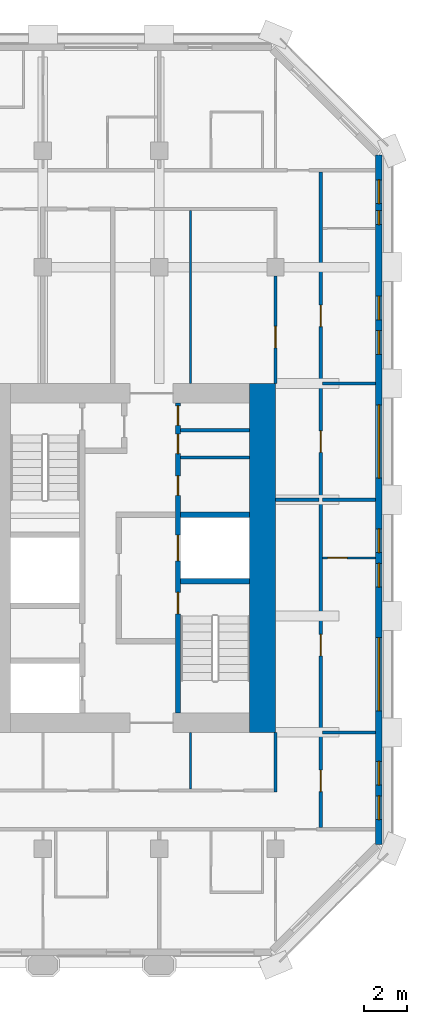
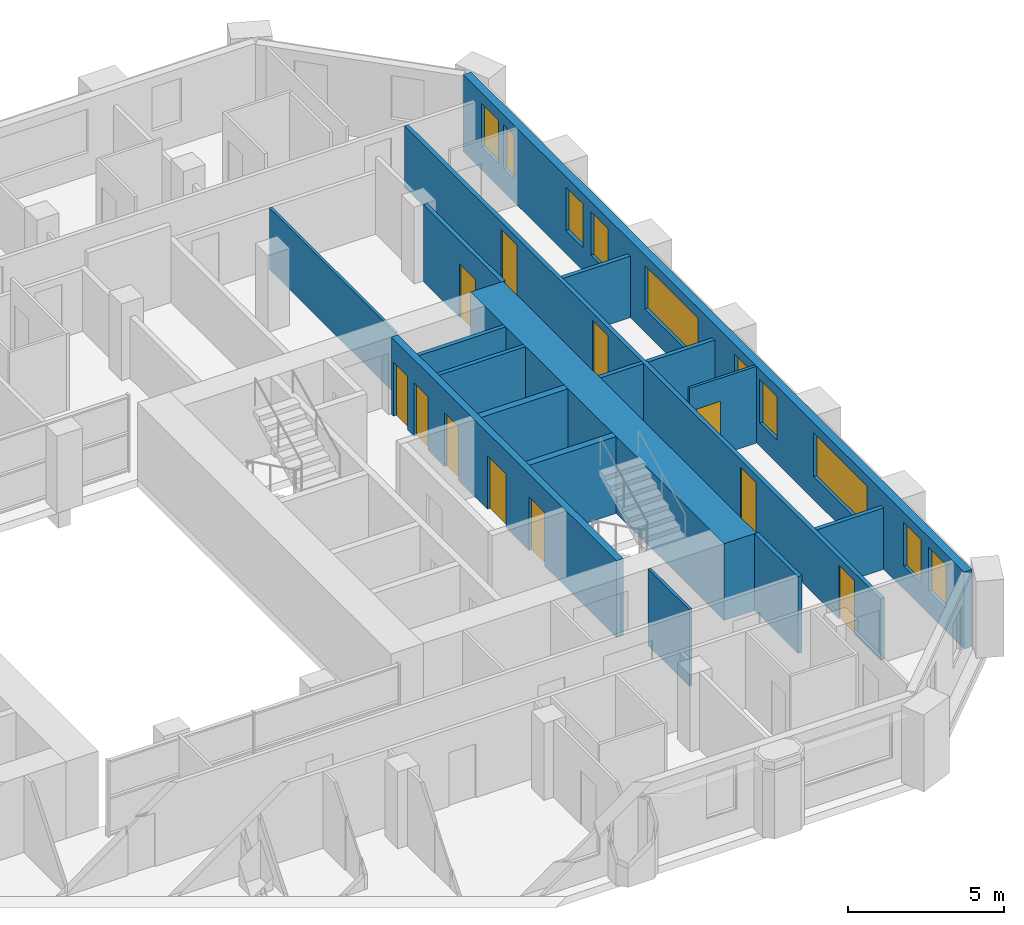
# One storey, part 7 of 13: 17 walls, 11 doors, 10 windows, 21 openings.
"""IFC4 building model written with IfcOpenShell, lengths in metres."""

from ifc_helpers import new_model, si_unit, direction, frame, frame_2d, origin, place, context, subcontext, project, spatial, rectangle, extrude, material, layer, layer_set, type_object, element, fill, save


model = new_model("IFC4")

# Units and contexts
model_context = context("Model", 3, precision=1e-05, world=origin(), true_north=direction((0.0, 1.0)))
body_context = subcontext(model_context, "Body", "Model", "MODEL_VIEW")
ifc_project = project(units=[si_unit("LENGTHUNIT", "METRE"), si_unit("AREAUNIT", "SQUARE_METRE"), si_unit("VOLUMEUNIT", "CUBIC_METRE"), si_unit("PLANEANGLEUNIT", "RADIAN"), si_unit("MASSUNIT", "GRAM", prefix="KILO")], contexts=[model_context])

# Site, building, storey
site_placement = place(None, origin())
site = spatial("IfcSite", under=ifc_project, at=site_placement, CompositionType="ELEMENT")
building_placement = place(site_placement, origin())
building = spatial("IfcBuilding", under=site, at=building_placement, Name="Tabaq Tower and Sports Hall", CompositionType="ELEMENT")
storey_placement = place(building_placement, frame((0.0, 0.0, 203.800048828125)))
storey = spatial("IfcBuildingStorey", under=building, at=storey_placement, Name="L50", CompositionType="ELEMENT", Elevation=203.800048828125)

# Walls
ifc_material_1 = material(Name="Blockwork", Category="masonry")
ifc_layer_1 = layer(ifc_material_1, 0.14990234375)
ifc_layer_set_1 = layer_set([ifc_layer_1], Name="Core room partition 150 Blockwork")
wall_type_1 = type_object("IfcWallType", Name="Core room partition 150 Blockwork", PredefinedType="PARTITIONING", material=ifc_layer_set_1)
for number, where, z_axis, x_axis, name in (
    (1, (38.800048828125, 28.962890625, 0.0), (0.0, 0.0, 1.0), (1.0, 0.0, 0.0), "Core room partition E L50"),
    (2, (38.800048828125, 30.23193359375, 0.0), (0.0, 0.0, 1.0), (1.0, 0.0, 0.0), "Core room partition E L50"),
):
    element("IfcWall", number, at=place(storey_placement, frame(where, z_axis=z_axis, x_axis=x_axis)), inside=storey, type_object=wall_type_1, Name=name, PredefinedType="PARTITIONING", context=body_context, shape_type="SweptSolid", body=[
        extrude(rectangle(XDim=3.199951171875, YDim=0.14990234375, at=frame_2d((1.60009765625, 0.0))), origin(), (0.0, 0.0, 1.0), 3.0),
    ])
ifc_material_2 = material(Name="Concrete C50/60", Category="concrete")
ifc_layer_2 = layer(ifc_material_2, 1.199951171875)
ifc_layer_set_2 = layer_set([ifc_layer_2], Name="Core wall 1200 Concrete C50/60")
wall_type_2 = type_object("IfcWallType", Name="Core wall 1200 Concrete C50/60", PredefinedType="SOLIDWALL", material=ifc_layer_set_2)
wall_1_placement = place(storey_placement, frame((42.60009765625, 32.39990234375, 0.0), z_axis=(0.0, 0.0, 1.0), x_axis=(0.0, -1.0, 0.0)))
element("IfcWall", 3, at=wall_1_placement, inside=storey, type_object=wall_type_2, Name="Core wall E L50", PredefinedType="SOLIDWALL", context=body_context, shape_type="SweptSolid", body=[
    extrude(rectangle(XDim=16.199951171875, YDim=1.199951171875, at=frame_2d((8.10009765625, 0.0))), origin(), (0.0, 0.0, 1.0), 3.0),
])
ifc_material_3 = material(Name="Gypsum board on steel studs", Category="steel")
ifc_layer_3 = layer(ifc_material_3, 0.10009765625)
ifc_layer_set_3 = layer_set([ifc_layer_3], Name="Partition 100 Gypsum board")
wall_type_3 = type_object("IfcWallType", Name="Partition 100 Gypsum board", PredefinedType="PARTITIONING", material=ifc_layer_set_3)
wall_2_placement = place(storey_placement, frame((39.25, 32.39990234375, 0.0), z_axis=(0.0, 0.0, 1.0), x_axis=(0.0, 1.0, 0.0)))
element("IfcWall", 4, at=wall_2_placement, inside=storey, type_object=wall_type_3, Name="Partition wall L50", PredefinedType="PARTITIONING", context=body_context, shape_type="SweptSolid", body=[
    extrude(rectangle(XDim=8.025146484375, YDim=0.10009765625, at=frame_2d((4.0126953125, 0.0))), origin(), (0.0, 0.0, 1.0), 2.39990234375),
])

# Wall, opening, door
wall_3_placement = place(storey_placement, frame((47.84912109375, 24.300048828125, 0.0), z_axis=(0.0, 0.0, 1.0), x_axis=(-1.0, 0.0, 0.0)))
wall_3 = element("IfcWall", 5, at=wall_3_placement, inside=storey, type_object=wall_type_3, Name="Partition wall L50", PredefinedType="PARTITIONING", context=body_context, shape_type="SweptSolid", body=[
    extrude(rectangle(XDim=2.47412109375, YDim=0.10009765625, at=frame_2d((1.237060546875, 0.0))), origin(), (0.0, 0.0, 1.0), 3.0),
])
opening_1_placement = place(wall_3_placement, frame((1.323974609375, 0.0, 0.0)))
opening_1 = element("IfcOpeningElement", 6, at=opening_1_placement, cuts=wall_3, Name="Opening L50-026", PredefinedType="OPENING", context=body_context, shape_type="SweptSolid", body=[
    extrude(rectangle(XDim=0.89990234375, YDim=2.10009765625, at=frame_2d((0.449951171875, 1.050048828125))), frame((0.0, 0.050048828125, 0.0), z_axis=(0.0, -1.0, 0.0), x_axis=(1.0, 0.0, 0.0)), (0.0, 0.0, 1.0), 0.10009765625),
])
ifc_material_4 = material(Name="Timber leaf in steel frame", Category="steel")
door_type_1 = type_object("IfcDoorType", Name="Internal door 900 left hand", OperationType="SINGLE_SWING_LEFT", PredefinedType="DOOR", material=ifc_material_4)
door_1_placement = place(opening_1_placement, origin())
door_1 = element("IfcDoor", 7, at=door_1_placement, inside=storey, type_object=door_type_1, Name="Internal door L50-026", OperationType="SINGLE_SWING_LEFT", OverallHeight=2.10009765625, OverallWidth=0.89990234375, PredefinedType="DOOR", context=body_context, shape_type="SweptSolid", body=[
    extrude(rectangle(XDim=0.89990234375, YDim=2.10009765625, at=frame_2d((0.449951171875, 1.050048828125))), frame((0.0, 0.02490234375, 0.0), z_axis=(0.0, -1.0, 0.0), x_axis=(1.0, 0.0, 0.0)), (0.0, 0.0, 1.0), 0.050048828125),
])
fill(opening_1, door_1)

# Walls
wall_4_placement = place(storey_placement, frame((39.25, 13.574951171875, 0.0), z_axis=(0.0, 0.0, 1.0), x_axis=(0.0, 1.0, 0.0)))
element("IfcWall", 8, at=wall_4_placement, inside=storey, type_object=wall_type_3, Name="Partition wall L50", PredefinedType="PARTITIONING", context=body_context, shape_type="SweptSolid", body=[
    extrude(rectangle(XDim=2.625, YDim=0.10009765625, at=frame_2d((1.3125, 0.0))), origin(), (0.0, 0.0, 1.0), 3.0),
])
ifc_material_5 = material(Name="Blockwork", Category="masonry")
ifc_layer_4 = layer(ifc_material_5, 0.14990234375)
ifc_layer_set_4 = layer_set([ifc_layer_4], Name="Separating wall 150 Blockwork")
wall_type_4 = type_object("IfcWallType", Name="Separating wall 150 Blockwork", PredefinedType="PARTITIONING", material=ifc_layer_set_4)
for number, where, z_axis, x_axis, name in (
    (9, (45.375, 32.39990234375, 0.0), (0.0, 0.0, 1.0), (1.0, 0.0, 0.0), "Separating wall L50"),
    (10, (45.375, 27.0, 0.0), (0.0, 0.0, 1.0), (1.0, 0.0, 0.0), "Separating wall L50"),
):
    element("IfcWall", number, at=place(storey_placement, frame(where, z_axis=z_axis, x_axis=x_axis)), inside=storey, type_object=wall_type_4, Name=name, PredefinedType="PARTITIONING", context=body_context, shape_type="SweptSolid", body=[
        extrude(rectangle(XDim=2.47412109375, YDim=0.14990234375, at=frame_2d((1.237060546875, 0.0))), origin(), (0.0, 0.0, 1.0), 2.39990234375),
    ])
wall_5_placement = place(storey_placement, frame((43.199951171875, 27.0, 0.0), z_axis=(0.0, 0.0, 1.0), x_axis=(1.0, 0.0, 0.0)))
element("IfcWall", 11, at=wall_5_placement, inside=storey, type_object=wall_type_4, Name="Separating wall L50", PredefinedType="PARTITIONING", context=body_context, shape_type="SweptSolid", body=[
    extrude(rectangle(XDim=2.025146484375, YDim=0.14990234375, at=frame_2d((1.0126953125, 0.0))), origin(), (0.0, 0.0, 1.0), 2.39990234375),
])

# Wall, opening, door
wall_6_placement = place(storey_placement, frame((43.199951171875, 37.3798828125, 0.0), z_axis=(0.0, 0.0, 1.0), x_axis=(0.0, -1.0, 0.0)))
wall_6 = element("IfcWall", 12, at=wall_6_placement, inside=storey, type_object=wall_type_4, Name="Separating wall L50", PredefinedType="PARTITIONING", context=body_context, shape_type="SweptSolid", body=[
    extrude(rectangle(XDim=4.97998046875, YDim=0.14990234375, at=frame_2d((2.489990234375, 0.0))), origin(), (0.0, 0.0, 1.0), 3.0),
])
opening_2_placement = place(wall_6_placement, frame((2.325927734375, 0.0, 0.0)))
opening_2 = element("IfcOpeningElement", 13, at=opening_2_placement, cuts=wall_6, Name="Opening L50-016", PredefinedType="OPENING", context=body_context, shape_type="SweptSolid", body=[
    extrude(rectangle(XDim=1.0, YDim=2.10009765625, at=frame_2d((0.5, 1.050048828125))), frame((0.0, 0.074951171875, 0.0), z_axis=(0.0, -1.0, 0.0), x_axis=(1.0, 0.0, 0.0)), (0.0, 0.0, 1.0), 0.14990234375),
])
ifc_material_6 = material(Name="Timber leaf in steel frame", Category="steel")
door_type_2 = type_object("IfcDoorType", Name="Internal door 1000 right hand", OperationType="SINGLE_SWING_RIGHT", PredefinedType="DOOR", material=ifc_material_6)
door_2_placement = place(opening_2_placement, origin())
door_2 = element("IfcDoor", 14, at=door_2_placement, inside=storey, type_object=door_type_2, Name="Internal door L50-016", OperationType="SINGLE_SWING_RIGHT", OverallHeight=2.10009765625, OverallWidth=1.0, PredefinedType="DOOR", context=body_context, shape_type="SweptSolid", body=[
    extrude(rectangle(XDim=1.0, YDim=2.10009765625, at=frame_2d((0.5, 1.050048828125))), frame((0.0, 0.02490234375, 0.0), z_axis=(0.0, -1.0, 0.0), x_axis=(1.0, 0.0, 0.0)), (0.0, 0.0, 1.0), 0.050048828125),
])
fill(opening_2, door_2)

# Wall
wall_7_placement = place(storey_placement, frame((47.84912109375, 16.199951171875, 0.0), z_axis=(0.0, 0.0, 1.0), x_axis=(-1.0, 0.0, 0.0)))
element("IfcWall", 15, at=wall_7_placement, inside=storey, type_object=wall_type_4, Name="Separating wall L50", PredefinedType="PARTITIONING", context=body_context, shape_type="SweptSolid", body=[
    extrude(rectangle(XDim=2.47412109375, YDim=0.14990234375, at=frame_2d((1.237060546875, 0.0))), origin(), (0.0, 0.0, 1.0), 2.39990234375),
])

# Wall, openings, doors
wall_8_placement = place(storey_placement, frame((45.300048828125, 42.22509765625, 0.0), z_axis=(0.0, 0.0, 1.0), x_axis=(0.0, -1.0, 0.0)))
wall_8 = element("IfcWall", 16, at=wall_8_placement, inside=storey, type_object=wall_type_4, Name="Separating wall L50", PredefinedType="PARTITIONING", context=body_context, shape_type="SweptSolid", body=[
    extrude(rectangle(XDim=30.4501953125, YDim=0.14990234375, at=frame_2d((15.22509765625, 0.0))), origin(), (0.0, 0.0, 1.0), 2.39990234375),
])
opening_3_placement = place(wall_8_placement, frame((12.02490234375, 0.0, 0.0)))
opening_3 = element("IfcOpeningElement", 17, at=opening_3_placement, cuts=wall_8, Name="Opening L50-013", PredefinedType="OPENING", context=body_context, shape_type="SweptSolid", body=[
    extrude(rectangle(XDim=1.0, YDim=2.10009765625, at=frame_2d((0.5, 1.050048828125))), frame((0.0, 0.074951171875, 0.0), z_axis=(0.0, -1.0, 0.0), x_axis=(1.0, 0.0, 0.0)), (0.0, 0.0, 1.0), 0.14990234375),
])
opening_4_placement = place(wall_8_placement, frame((27.77490234375, 0.0, 0.0)))
opening_4 = element("IfcOpeningElement", 18, at=opening_4_placement, cuts=wall_8, Name="Opening L50-018", PredefinedType="OPENING", context=body_context, shape_type="SweptSolid", body=[
    extrude(rectangle(XDim=1.0, YDim=2.10009765625, at=frame_2d((0.5, 1.050048828125))), frame((0.0, 0.074951171875, 0.0), z_axis=(0.0, -1.0, 0.0), x_axis=(1.0, 0.0, 0.0)), (0.0, 0.0, 1.0), 0.14990234375),
])
opening_5_placement = place(wall_8_placement, frame((6.19189453125, 0.0, 0.0)))
opening_5 = element("IfcOpeningElement", 19, at=opening_5_placement, cuts=wall_8, Name="Opening L50-034", PredefinedType="OPENING", context=body_context, shape_type="SweptSolid", body=[
    extrude(rectangle(XDim=1.0, YDim=2.10009765625, at=frame_2d((0.5, 1.050048828125))), frame((0.0, 0.074951171875, 0.0), z_axis=(0.0, -1.0, 0.0), x_axis=(1.0, 0.0, 0.0)), (0.0, 0.0, 1.0), 0.14990234375),
])
opening_6_placement = place(wall_8_placement, frame((21.47509765625, 0.0, 0.0)))
opening_6 = element("IfcOpeningElement", 20, at=opening_6_placement, cuts=wall_8, Name="Opening L50-049", PredefinedType="OPENING", context=body_context, shape_type="SweptSolid", body=[
    extrude(rectangle(XDim=1.0, YDim=2.10009765625, at=frame_2d((0.5, 1.050048828125))), frame((0.0, 0.074951171875, 0.0), z_axis=(0.0, -1.0, 0.0), x_axis=(1.0, 0.0, 0.0)), (0.0, 0.0, 1.0), 0.14990234375),
])
ifc_material_7 = material(Name="Steel fire door", Category="steel")
door_type_3 = type_object("IfcDoorType", Name="Entrance door 1000 right hand", OperationType="SINGLE_SWING_RIGHT", PredefinedType="DOOR", material=ifc_material_7)
door_3_placement = place(opening_5_placement, origin())
door_3 = element("IfcDoor", 21, at=door_3_placement, inside=storey, type_object=door_type_3, Name="Entrance door L50-034", OperationType="SINGLE_SWING_RIGHT", OverallHeight=2.10009765625, OverallWidth=1.0, PredefinedType="DOOR", context=body_context, shape_type="SweptSolid", body=[
    extrude(rectangle(XDim=1.0, YDim=2.10009765625, at=frame_2d((0.5, 1.050048828125))), frame((0.0, 0.02490234375, 0.0), z_axis=(0.0, -1.0, 0.0), x_axis=(1.0, 0.0, 0.0)), (0.0, 0.0, 1.0), 0.050048828125),
])
fill(opening_5, door_3)
door_4_placement = place(opening_6_placement, origin())
door_4 = element("IfcDoor", 22, at=door_4_placement, inside=storey, type_object=door_type_3, Name="Entrance door L50-049", OperationType="SINGLE_SWING_RIGHT", OverallHeight=2.10009765625, OverallWidth=1.0, PredefinedType="DOOR", context=body_context, shape_type="SweptSolid", body=[
    extrude(rectangle(XDim=1.0, YDim=2.10009765625, at=frame_2d((0.5, 1.050048828125))), frame((0.0, 0.02490234375, 0.0), z_axis=(0.0, -1.0, 0.0), x_axis=(1.0, 0.0, 0.0)), (0.0, 0.0, 1.0), 0.050048828125),
])
fill(opening_6, door_4)
ifc_material_8 = material(Name="Timber leaf in steel frame", Category="steel")
door_type_4 = type_object("IfcDoorType", Name="Internal door 1000 left hand", OperationType="SINGLE_SWING_LEFT", PredefinedType="DOOR", material=ifc_material_8)
door_5_placement = place(opening_4_placement, origin())
door_5 = element("IfcDoor", 23, at=door_5_placement, inside=storey, type_object=door_type_4, Name="Internal door L50-018", OperationType="SINGLE_SWING_LEFT", OverallHeight=2.10009765625, OverallWidth=1.0, PredefinedType="DOOR", context=body_context, shape_type="SweptSolid", body=[
    extrude(rectangle(XDim=1.0, YDim=2.10009765625, at=frame_2d((0.5, 1.050048828125))), frame((0.0, 0.02490234375, 0.0), z_axis=(0.0, -1.0, 0.0), x_axis=(1.0, 0.0, 0.0)), (0.0, 0.0, 1.0), 0.050048828125),
])
fill(opening_4, door_5)
door_6_placement = place(opening_3_placement, origin())
door_6 = element("IfcDoor", 24, at=door_6_placement, inside=storey, type_object=door_type_2, Name="Internal door L50-013", OperationType="SINGLE_SWING_RIGHT", OverallHeight=2.10009765625, OverallWidth=1.0, PredefinedType="DOOR", context=body_context, shape_type="SweptSolid", body=[
    extrude(rectangle(XDim=1.0, YDim=2.10009765625, at=frame_2d((0.5, 1.050048828125))), frame((0.0, 0.02490234375, 0.0), z_axis=(0.0, -1.0, 0.0), x_axis=(1.0, 0.0, 0.0)), (0.0, 0.0, 1.0), 0.050048828125),
])
fill(opening_3, door_6)

# Wall
wall_9_placement = place(storey_placement, frame((43.199951171875, 16.199951171875, 0.0), z_axis=(0.0, 0.0, 1.0), x_axis=(0.0, -1.0, 0.0)))
element("IfcWall", 25, at=wall_9_placement, inside=storey, type_object=wall_type_4, Name="Separating wall L50", PredefinedType="PARTITIONING", context=body_context, shape_type="SweptSolid", body=[
    extrude(rectangle(XDim=2.77490234375, YDim=0.14990234375, at=frame_2d((1.387451171875, 0.0))), origin(), (0.0, 0.0, 1.0), 3.0),
])

# Wall, openings, doors
ifc_material_9 = material(Name="Concrete C40/50", Category="concrete")
ifc_layer_5 = layer(ifc_material_9, 0.25)
ifc_layer_set_5 = layer_set([ifc_layer_5], Name="Shaft and stair wall 250 Concrete C40/50")
wall_type_5 = type_object("IfcWallType", Name="Shaft and stair wall 250 Concrete C40/50", PredefinedType="SOLIDWALL", material=ifc_layer_set_5)
wall_10_placement = place(storey_placement, frame((38.675048828125, 17.10009765625, 0.0), z_axis=(0.0, 0.0, 1.0), x_axis=(0.0, 1.0, 0.0)))
wall_10 = element("IfcWall", 26, at=wall_10_placement, inside=storey, type_object=wall_type_5, Name="Shaft wall E L50", PredefinedType="SOLIDWALL", context=body_context, shape_type="SweptSolid", body=[
    extrude(rectangle(XDim=14.39990234375, YDim=0.25, at=frame_2d((7.199951171875, 0.0))), origin(), (0.0, 0.0, 1.0), 3.0),
])
opening_7_placement = place(wall_10_placement, frame((4.60009765625, 0.0, 0.0)))
opening_7 = element("IfcOpeningElement", 27, at=opening_7_placement, cuts=wall_10, Name="Opening SD-EL50-03", PredefinedType="OPENING", context=body_context, shape_type="SweptSolid", body=[
    extrude(rectangle(XDim=1.0, YDim=2.10009765625, at=frame_2d((0.5, 1.050048828125))), frame((0.0, 0.125, 0.0), z_axis=(0.0, -1.0, 0.0), x_axis=(1.0, 0.0, 0.0)), (0.0, 0.0, 1.0), 0.25),
])
opening_8_placement = place(wall_10_placement, frame((7.0625, 0.0, 0.0)))
opening_8 = element("IfcOpeningElement", 28, at=opening_8_placement, cuts=wall_10, Name="Opening LD-FF2-L50", PredefinedType="OPENING", context=body_context, shape_type="SweptSolid", body=[
    extrude(rectangle(XDim=1.199951171875, YDim=2.10009765625, at=frame_2d((0.60009765625, 1.050048828125))), frame((0.0, 0.125, 0.0), z_axis=(0.0, -1.0, 0.0), x_axis=(1.0, 0.0, 0.0)), (0.0, 0.0, 1.0), 0.25),
])
opening_9_placement = place(wall_10_placement, frame((10.1064453125, 0.0, 0.0)))
opening_9 = element("IfcOpeningElement", 29, at=opening_9_placement, cuts=wall_10, Name="Opening RD-EL50-09", PredefinedType="OPENING", context=body_context, shape_type="SweptSolid", body=[
    extrude(rectangle(XDim=0.89990234375, YDim=2.10009765625, at=frame_2d((0.449951171875, 1.050048828125))), frame((0.0, 0.125, 0.0), z_axis=(0.0, -1.0, 0.0), x_axis=(1.0, 0.0, 0.0)), (0.0, 0.0, 1.0), 0.25),
])
opening_10_placement = place(wall_10_placement, frame((12.047607421875, 0.0, 0.0)))
opening_10 = element("IfcOpeningElement", 30, at=opening_10_placement, cuts=wall_10, Name="Opening RD-EL50-10", PredefinedType="OPENING", context=body_context, shape_type="SweptSolid", body=[
    extrude(rectangle(XDim=0.89990234375, YDim=2.10009765625, at=frame_2d((0.449951171875, 1.050048828125))), frame((0.0, 0.125, 0.0), z_axis=(0.0, -1.0, 0.0), x_axis=(1.0, 0.0, 0.0)), (0.0, 0.0, 1.0), 0.25),
])
opening_11_placement = place(wall_10_placement, frame((13.353515625, 0.0, 0.0)))
opening_11 = element("IfcOpeningElement", 31, at=opening_11_placement, cuts=wall_10, Name="Opening RD-EL50-11", PredefinedType="OPENING", context=body_context, shape_type="SweptSolid", body=[
    extrude(rectangle(XDim=0.89990234375, YDim=2.10009765625, at=frame_2d((0.449951171875, 1.050048828125))), frame((0.0, 0.125, 0.0), z_axis=(0.0, -1.0, 0.0), x_axis=(1.0, 0.0, 0.0)), (0.0, 0.0, 1.0), 0.25),
])
ifc_material_10 = material(Name="Steel fire door", Category="steel")
door_type_5 = type_object("IfcDoorType", Name="Core room door 900", OperationType="SINGLE_SWING_LEFT", PredefinedType="DOOR", material=ifc_material_10)
door_7_placement = place(opening_9_placement, origin())
door_7 = element("IfcDoor", 32, at=door_7_placement, inside=storey, type_object=door_type_5, Name="Door Unisex WC E L50", OperationType="SINGLE_SWING_LEFT", OverallHeight=2.10009765625, OverallWidth=0.89990234375, PredefinedType="DOOR", context=body_context, shape_type="SweptSolid", body=[
    extrude(rectangle(XDim=0.89990234375, YDim=2.10009765625, at=frame_2d((0.449951171875, 1.050048828125))), frame((0.0, 0.02490234375, 0.0), z_axis=(0.0, -1.0, 0.0), x_axis=(1.0, 0.0, 0.0)), (0.0, 0.0, 1.0), 0.050048828125),
])
fill(opening_9, door_7)
door_8_placement = place(opening_10_placement, origin())
door_8 = element("IfcDoor", 33, at=door_8_placement, inside=storey, type_object=door_type_5, Name="Door Cleaner's Store E L50", OperationType="SINGLE_SWING_LEFT", OverallHeight=2.10009765625, OverallWidth=0.89990234375, PredefinedType="DOOR", context=body_context, shape_type="SweptSolid", body=[
    extrude(rectangle(XDim=0.89990234375, YDim=2.10009765625, at=frame_2d((0.449951171875, 1.050048828125))), frame((0.0, 0.02490234375, 0.0), z_axis=(0.0, -1.0, 0.0), x_axis=(1.0, 0.0, 0.0)), (0.0, 0.0, 1.0), 0.050048828125),
])
fill(opening_10, door_8)
door_9_placement = place(opening_11_placement, origin())
door_9 = element("IfcDoor", 34, at=door_9_placement, inside=storey, type_object=door_type_5, Name="Door Accessible WC E L50", OperationType="SINGLE_SWING_LEFT", OverallHeight=2.10009765625, OverallWidth=0.89990234375, PredefinedType="DOOR", context=body_context, shape_type="SweptSolid", body=[
    extrude(rectangle(XDim=0.89990234375, YDim=2.10009765625, at=frame_2d((0.449951171875, 1.050048828125))), frame((0.0, 0.02490234375, 0.0), z_axis=(0.0, -1.0, 0.0), x_axis=(1.0, 0.0, 0.0)), (0.0, 0.0, 1.0), 0.050048828125),
])
fill(opening_11, door_9)
ifc_material_11 = material(Name="Stainless steel", Category="steel")
door_type_6 = type_object("IfcDoorType", Name="Lift landing door 1200", OperationType="DOUBLE_DOOR_SLIDING", PredefinedType="DOOR", material=ifc_material_11)
door_10_placement = place(opening_8_placement, origin())
door_10 = element("IfcDoor", 35, at=door_10_placement, inside=storey, type_object=door_type_6, Name="Lift landing door FF2 E L50", OperationType="DOUBLE_DOOR_SLIDING", OverallHeight=2.10009765625, OverallWidth=1.199951171875, PredefinedType="DOOR", context=body_context, shape_type="SweptSolid", body=[
    extrude(rectangle(XDim=1.199951171875, YDim=2.10009765625, at=frame_2d((0.60009765625, 1.050048828125))), frame((0.0, 0.02490234375, 0.0), z_axis=(0.0, -1.0, 0.0), x_axis=(1.0, 0.0, 0.0)), (0.0, 0.0, 1.0), 0.050048828125),
])
fill(opening_8, door_10)
ifc_material_12 = material(Name="Steel fire door", Category="steel")
door_type_7 = type_object("IfcDoorType", Name="Stair door 1000", OperationType="SINGLE_SWING_LEFT", PredefinedType="DOOR", material=ifc_material_12)
door_11_placement = place(opening_7_placement, origin())
door_11 = element("IfcDoor", 36, at=door_11_placement, inside=storey, type_object=door_type_7, Name="Stair door ST3 E L50", OperationType="SINGLE_SWING_LEFT", OverallHeight=2.10009765625, OverallWidth=1.0, PredefinedType="DOOR", context=body_context, shape_type="SweptSolid", body=[
    extrude(rectangle(XDim=1.0, YDim=2.10009765625, at=frame_2d((0.5, 1.050048828125))), frame((0.0, 0.02490234375, 0.0), z_axis=(0.0, -1.0, 0.0), x_axis=(1.0, 0.0, 0.0)), (0.0, 0.0, 1.0), 0.050048828125),
])
fill(opening_7, door_11)

# Walls
for number, where, z_axis, x_axis, name in (
    (37, (38.800048828125, 23.22509765625, 0.0), (0.0, 0.0, 1.0), (1.0, 0.0, 0.0), "Stair enclosure wall E L50"),
    (38, (38.800048828125, 26.300048828125, 0.0), (0.0, 0.0, 1.0), (1.0, 0.0, 0.0), "Shaft wall E L50"),
):
    element("IfcWall", number, at=place(storey_placement, frame(where, z_axis=z_axis, x_axis=x_axis)), inside=storey, type_object=wall_type_5, Name=name, PredefinedType="SOLIDWALL", context=body_context, shape_type="SweptSolid", body=[
        extrude(rectangle(XDim=3.199951171875, YDim=0.25, at=frame_2d((1.60009765625, 0.0))), origin(), (0.0, 0.0, 1.0), 3.0),
    ])

# Wall, openings, windows
ifc_material_13 = material(Name="White precast concrete C60/75", Category="concrete")
ifc_layer_6 = layer(ifc_material_13, 0.300048828125)
ifc_layer_set_6 = layer_set([ifc_layer_6], Name="White precast concrete C60/75 external wall 300")
wall_type_6 = type_object("IfcWallType", Name="White precast concrete C60/75 external wall 300", PredefinedType="SOLIDWALL", material=ifc_layer_set_6)
wall_11_placement = place(storey_placement, frame((48.0, 10.986328125, 0.0), z_axis=(0.0, 0.0, 1.0), x_axis=(0.0, 1.0, 0.0)))
wall_11 = element("IfcWall", 39, at=wall_11_placement, inside=storey, type_object=wall_type_6, Name="External Wall L50 E", PredefinedType="SOLIDWALL", context=body_context, shape_type="SweptSolid", body=[
    extrude(rectangle(XDim=32.02734375, YDim=0.300048828125, at=frame_2d((16.013671875, 0.0))), origin(), (0.0, 0.0, 1.0), 3.0),
])
opening_12_placement = place(wall_11_placement, frame((1.16357421875, 0.0, 0.89990234375)))
opening_12 = element("IfcOpeningElement", 40, at=opening_12_placement, cuts=wall_11, Name="Opening W1B", PredefinedType="OPENING", context=body_context, shape_type="SweptSolid", body=[
    extrude(rectangle(XDim=1.10009765625, YDim=1.699951171875, at=frame_2d((0.550048828125, 0.85009765625))), frame((0.0, 0.16015625, 0.0), z_axis=(0.0, -1.0, 0.0), x_axis=(1.0, 0.0, 0.0)), (0.0, 0.0, 1.0), 0.320068359375),
])
opening_13_placement = place(wall_11_placement, frame((2.763671875, 0.0, 0.89990234375)))
opening_13 = element("IfcOpeningElement", 41, at=opening_13_placement, cuts=wall_11, Name="Opening W1B", PredefinedType="OPENING", context=body_context, shape_type="SweptSolid", body=[
    extrude(rectangle(XDim=1.10009765625, YDim=1.699951171875, at=frame_2d((0.550048828125, 0.85009765625))), frame((0.0, 0.16015625, 0.0), z_axis=(0.0, -1.0, 0.0), x_axis=(1.0, 0.0, 0.0)), (0.0, 0.0, 1.0), 0.320068359375),
])
opening_14_placement = place(wall_11_placement, frame((6.213623046875, 0.0, 0.89990234375)))
opening_14 = element("IfcOpeningElement", 42, at=opening_14_placement, cuts=wall_11, Name="Opening W1A", PredefinedType="OPENING", context=body_context, shape_type="SweptSolid", body=[
    extrude(rectangle(XDim=3.39990234375, YDim=1.699951171875, at=frame_2d((1.699951171875, 0.85009765625))), frame((0.0, 0.16015625, 0.0), z_axis=(0.0, -1.0, 0.0), x_axis=(1.0, 0.0, 0.0)), (0.0, 0.0, 1.0), 0.320068359375),
])
opening_15_placement = place(wall_11_placement, frame((11.963623046875, 0.0, 0.89990234375)))
opening_15 = element("IfcOpeningElement", 43, at=opening_15_placement, cuts=wall_11, Name="Opening W1B", PredefinedType="OPENING", context=body_context, shape_type="SweptSolid", body=[
    extrude(rectangle(XDim=1.10009765625, YDim=1.699951171875, at=frame_2d((0.550048828125, 0.85009765625))), frame((0.0, 0.16015625, 0.0), z_axis=(0.0, -1.0, 0.0), x_axis=(1.0, 0.0, 0.0)), (0.0, 0.0, 1.0), 0.320068359375),
])
opening_16_placement = place(wall_11_placement, frame((13.563720703125, 0.0, 0.89990234375)))
opening_16 = element("IfcOpeningElement", 44, at=opening_16_placement, cuts=wall_11, Name="Opening W1B", PredefinedType="OPENING", context=body_context, shape_type="SweptSolid", body=[
    extrude(rectangle(XDim=1.10009765625, YDim=1.699951171875, at=frame_2d((0.550048828125, 0.85009765625))), frame((0.0, 0.16015625, 0.0), z_axis=(0.0, -1.0, 0.0), x_axis=(1.0, 0.0, 0.0)), (0.0, 0.0, 1.0), 0.320068359375),
])
opening_17_placement = place(wall_11_placement, frame((17.013671875, 0.0, 0.89990234375)))
opening_17 = element("IfcOpeningElement", 45, at=opening_17_placement, cuts=wall_11, Name="Opening W1A", PredefinedType="OPENING", context=body_context, shape_type="SweptSolid", body=[
    extrude(rectangle(XDim=3.39990234375, YDim=1.699951171875, at=frame_2d((1.699951171875, 0.85009765625))), frame((0.0, 0.16015625, 0.0), z_axis=(0.0, -1.0, 0.0), x_axis=(1.0, 0.0, 0.0)), (0.0, 0.0, 1.0), 0.320068359375),
])
opening_18_placement = place(wall_11_placement, frame((22.763671875, 0.0, 0.89990234375)))
opening_18 = element("IfcOpeningElement", 46, at=opening_18_placement, cuts=wall_11, Name="Opening W1B", PredefinedType="OPENING", context=body_context, shape_type="SweptSolid", body=[
    extrude(rectangle(XDim=1.10009765625, YDim=1.699951171875, at=frame_2d((0.550048828125, 0.85009765625))), frame((0.0, 0.16015625, 0.0), z_axis=(0.0, -1.0, 0.0), x_axis=(1.0, 0.0, 0.0)), (0.0, 0.0, 1.0), 0.320068359375),
])
opening_19_placement = place(wall_11_placement, frame((24.363525390625, 0.0, 0.89990234375)))
opening_19 = element("IfcOpeningElement", 47, at=opening_19_placement, cuts=wall_11, Name="Opening W1B", PredefinedType="OPENING", context=body_context, shape_type="SweptSolid", body=[
    extrude(rectangle(XDim=1.10009765625, YDim=1.699951171875, at=frame_2d((0.550048828125, 0.85009765625))), frame((0.0, 0.16015625, 0.0), z_axis=(0.0, -1.0, 0.0), x_axis=(1.0, 0.0, 0.0)), (0.0, 0.0, 1.0), 0.320068359375),
])
opening_20_placement = place(wall_11_placement, frame((28.78857421875, 0.0, 0.89990234375)))
opening_20 = element("IfcOpeningElement", 48, at=opening_20_placement, cuts=wall_11, Name="Opening W1C", PredefinedType="OPENING", context=body_context, shape_type="SweptSolid", body=[
    extrude(rectangle(XDim=0.64990234375, YDim=1.699951171875, at=frame_2d((0.324951171875, 0.85009765625))), frame((0.0, 0.16015625, 0.0), z_axis=(0.0, -1.0, 0.0), x_axis=(1.0, 0.0, 0.0)), (0.0, 0.0, 1.0), 0.320068359375),
])
opening_21_placement = place(wall_11_placement, frame((29.763671875, 0.0, 0.89990234375)))
opening_21 = element("IfcOpeningElement", 49, at=opening_21_placement, cuts=wall_11, Name="Opening W1B", PredefinedType="OPENING", context=body_context, shape_type="SweptSolid", body=[
    extrude(rectangle(XDim=1.10009765625, YDim=1.699951171875, at=frame_2d((0.550048828125, 0.85009765625))), frame((0.0, 0.16015625, 0.0), z_axis=(0.0, -1.0, 0.0), x_axis=(1.0, 0.0, 0.0)), (0.0, 0.0, 1.0), 0.320068359375),
])
ifc_material_14 = material(Name="Aluminium framed clear glazing", Category="aluminium")
window_type_1 = type_object("IfcWindowType", Name="Window W1A", PartitioningType="SINGLE_PANEL", PredefinedType="WINDOW", material=ifc_material_14)
window_1_placement = place(opening_14_placement, origin())
window_1 = element("IfcWindow", 50, at=window_1_placement, inside=storey, type_object=window_type_1, Name="Window W1A L50", OverallHeight=1.699951171875, OverallWidth=3.39990234375, PartitioningType="SINGLE_PANEL", PredefinedType="WINDOW", context=body_context, shape_type="SweptSolid", body=[
    extrude(rectangle(XDim=3.39990234375, YDim=1.699951171875, at=frame_2d((1.699951171875, 0.85009765625))), frame((0.0, 0.030029296875, 0.0), z_axis=(0.0, -1.0, 0.0), x_axis=(1.0, 0.0, 0.0)), (0.0, 0.0, 1.0), 0.06005859375),
])
fill(opening_14, window_1)
window_2_placement = place(opening_17_placement, origin())
window_2 = element("IfcWindow", 51, at=window_2_placement, inside=storey, type_object=window_type_1, Name="Window W1A L50", OverallHeight=1.699951171875, OverallWidth=3.39990234375, PartitioningType="SINGLE_PANEL", PredefinedType="WINDOW", context=body_context, shape_type="SweptSolid", body=[
    extrude(rectangle(XDim=3.39990234375, YDim=1.699951171875, at=frame_2d((1.699951171875, 0.85009765625))), frame((0.0, 0.030029296875, 0.0), z_axis=(0.0, -1.0, 0.0), x_axis=(1.0, 0.0, 0.0)), (0.0, 0.0, 1.0), 0.06005859375),
])
fill(opening_17, window_2)
ifc_material_15 = material(Name="Aluminium framed clear glazing", Category="aluminium")
window_type_2 = type_object("IfcWindowType", Name="Window W1B", PartitioningType="SINGLE_PANEL", PredefinedType="WINDOW", material=ifc_material_15)
window_3_placement = place(opening_12_placement, origin())
window_3 = element("IfcWindow", 52, at=window_3_placement, inside=storey, type_object=window_type_2, Name="Window W1B L50", OverallHeight=1.699951171875, OverallWidth=1.10009765625, PartitioningType="SINGLE_PANEL", PredefinedType="WINDOW", context=body_context, shape_type="SweptSolid", body=[
    extrude(rectangle(XDim=1.10009765625, YDim=1.699951171875, at=frame_2d((0.550048828125, 0.85009765625))), frame((0.0, 0.030029296875, 0.0), z_axis=(0.0, -1.0, 0.0), x_axis=(1.0, 0.0, 0.0)), (0.0, 0.0, 1.0), 0.06005859375),
])
fill(opening_12, window_3)
window_4_placement = place(opening_13_placement, origin())
window_4 = element("IfcWindow", 53, at=window_4_placement, inside=storey, type_object=window_type_2, Name="Window W1B L50", OverallHeight=1.699951171875, OverallWidth=1.10009765625, PartitioningType="SINGLE_PANEL", PredefinedType="WINDOW", context=body_context, shape_type="SweptSolid", body=[
    extrude(rectangle(XDim=1.10009765625, YDim=1.699951171875, at=frame_2d((0.550048828125, 0.85009765625))), frame((0.0, 0.030029296875, 0.0), z_axis=(0.0, -1.0, 0.0), x_axis=(1.0, 0.0, 0.0)), (0.0, 0.0, 1.0), 0.06005859375),
])
fill(opening_13, window_4)
window_5_placement = place(opening_15_placement, origin())
window_5 = element("IfcWindow", 54, at=window_5_placement, inside=storey, type_object=window_type_2, Name="Window W1B L50", OverallHeight=1.699951171875, OverallWidth=1.10009765625, PartitioningType="SINGLE_PANEL", PredefinedType="WINDOW", context=body_context, shape_type="SweptSolid", body=[
    extrude(rectangle(XDim=1.10009765625, YDim=1.699951171875, at=frame_2d((0.550048828125, 0.85009765625))), frame((0.0, 0.030029296875, 0.0), z_axis=(0.0, -1.0, 0.0), x_axis=(1.0, 0.0, 0.0)), (0.0, 0.0, 1.0), 0.06005859375),
])
fill(opening_15, window_5)
window_6_placement = place(opening_16_placement, origin())
window_6 = element("IfcWindow", 55, at=window_6_placement, inside=storey, type_object=window_type_2, Name="Window W1B L50", OverallHeight=1.699951171875, OverallWidth=1.10009765625, PartitioningType="SINGLE_PANEL", PredefinedType="WINDOW", context=body_context, shape_type="SweptSolid", body=[
    extrude(rectangle(XDim=1.10009765625, YDim=1.699951171875, at=frame_2d((0.550048828125, 0.85009765625))), frame((0.0, 0.030029296875, 0.0), z_axis=(0.0, -1.0, 0.0), x_axis=(1.0, 0.0, 0.0)), (0.0, 0.0, 1.0), 0.06005859375),
])
fill(opening_16, window_6)
window_7_placement = place(opening_18_placement, origin())
window_7 = element("IfcWindow", 56, at=window_7_placement, inside=storey, type_object=window_type_2, Name="Window W1B L50", OverallHeight=1.699951171875, OverallWidth=1.10009765625, PartitioningType="SINGLE_PANEL", PredefinedType="WINDOW", context=body_context, shape_type="SweptSolid", body=[
    extrude(rectangle(XDim=1.10009765625, YDim=1.699951171875, at=frame_2d((0.550048828125, 0.85009765625))), frame((0.0, 0.030029296875, 0.0), z_axis=(0.0, -1.0, 0.0), x_axis=(1.0, 0.0, 0.0)), (0.0, 0.0, 1.0), 0.06005859375),
])
fill(opening_18, window_7)
window_8_placement = place(opening_19_placement, origin())
window_8 = element("IfcWindow", 57, at=window_8_placement, inside=storey, type_object=window_type_2, Name="Window W1B L50", OverallHeight=1.699951171875, OverallWidth=1.10009765625, PartitioningType="SINGLE_PANEL", PredefinedType="WINDOW", context=body_context, shape_type="SweptSolid", body=[
    extrude(rectangle(XDim=1.10009765625, YDim=1.699951171875, at=frame_2d((0.550048828125, 0.85009765625))), frame((0.0, 0.030029296875, 0.0), z_axis=(0.0, -1.0, 0.0), x_axis=(1.0, 0.0, 0.0)), (0.0, 0.0, 1.0), 0.06005859375),
])
fill(opening_19, window_8)
window_9_placement = place(opening_21_placement, origin())
window_9 = element("IfcWindow", 58, at=window_9_placement, inside=storey, type_object=window_type_2, Name="Window W1B L50", OverallHeight=1.699951171875, OverallWidth=1.10009765625, PartitioningType="SINGLE_PANEL", PredefinedType="WINDOW", context=body_context, shape_type="SweptSolid", body=[
    extrude(rectangle(XDim=1.10009765625, YDim=1.699951171875, at=frame_2d((0.550048828125, 0.85009765625))), frame((0.0, 0.030029296875, 0.0), z_axis=(0.0, -1.0, 0.0), x_axis=(1.0, 0.0, 0.0)), (0.0, 0.0, 1.0), 0.06005859375),
])
fill(opening_21, window_9)
ifc_material_16 = material(Name="Aluminium framed clear glazing", Category="aluminium")
window_type_3 = type_object("IfcWindowType", Name="Window W1C", PartitioningType="SINGLE_PANEL", PredefinedType="WINDOW", material=ifc_material_16)
window_10_placement = place(opening_20_placement, origin())
window_10 = element("IfcWindow", 59, at=window_10_placement, inside=storey, type_object=window_type_3, Name="Window W1C L50", OverallHeight=1.699951171875, OverallWidth=0.64990234375, PartitioningType="SINGLE_PANEL", PredefinedType="WINDOW", context=body_context, shape_type="SweptSolid", body=[
    extrude(rectangle(XDim=0.64990234375, YDim=1.699951171875, at=frame_2d((0.324951171875, 0.85009765625))), frame((0.0, 0.030029296875, 0.0), z_axis=(0.0, -1.0, 0.0), x_axis=(1.0, 0.0, 0.0)), (0.0, 0.0, 1.0), 0.06005859375),
])
fill(opening_20, window_10)

save(model, "model.ifc")
